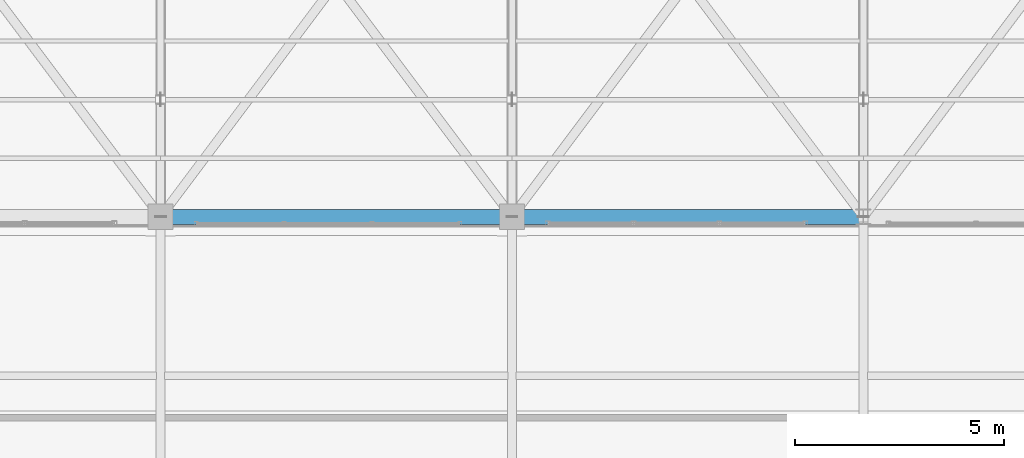
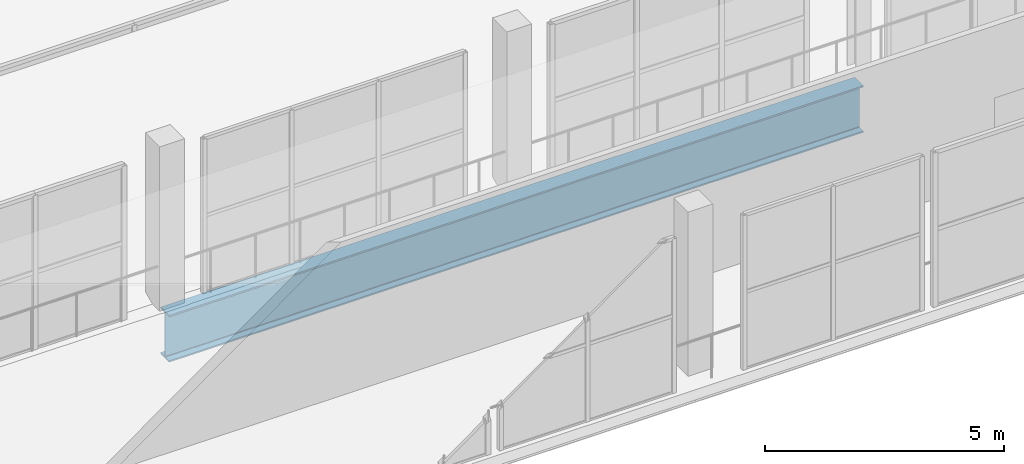
# One storey, part 90 of 217: 1 beam.
"""IFC4 building model written with IfcOpenShell, lengths in metres."""

from ifc_helpers import new_model, si_unit, direction, frame, origin, origin_2d, place, context, subcontext, project, spatial, i_section, extrude, material, material_profile, profile_set, type_object, element, save


model = new_model("IFC4")

# Units and contexts
model_context = context("Model", 3, precision=1e-05, world=origin(), true_north=direction((0.0, 1.0)))
body_context = subcontext(model_context, "Body", "Model", "MODEL_VIEW")
ifc_project = project(units=[si_unit("LENGTHUNIT", "METRE"), si_unit("AREAUNIT", "SQUARE_METRE"), si_unit("VOLUMEUNIT", "CUBIC_METRE"), si_unit("PLANEANGLEUNIT", "RADIAN"), si_unit("MASSUNIT", "GRAM", prefix="KILO")], contexts=[model_context])

# Site, building, storey
site_placement = place(None, origin())
site = spatial("IfcSite", under=ifc_project, at=site_placement, CompositionType="ELEMENT")
building_placement = place(site_placement, origin())
building = spatial("IfcBuilding", under=site, at=building_placement, Name="Zuvorla Pavilion Media Centre", CompositionType="ELEMENT")
storey_placement = place(building_placement, frame((0.0, 0.0, 9.60009765625)))
storey = spatial("IfcBuildingStorey", under=building, at=storey_placement, Name="L02", CompositionType="ELEMENT", Elevation=9.60009765625)

# Beam
ifc_material = material(Name="Steel S355", Category="steel")
ifc_material_profile = material_profile(ifc_material, i_section(OverallWidth=0.360107421875, OverallDepth=1.199951171875, WebThickness=0.02001953125, FlangeThickness=0.0380859375, FilletRadius=0.02392578125, at=origin_2d()), Name="PG 1200x360x38")
ifc_profile_set = profile_set([ifc_material_profile], Name="Steel S355")
beam_type = type_object("IfcBeamType", Name="BM-PG1200", PredefinedType="BEAM", material=ifc_profile_set)
beam_placement = place(storey_placement, frame((108.800048828125, 89.60009765625, -0.88818359375), z_axis=(1.0, 0.0, 0.0), x_axis=(0.0, 1.0, 0.0)))
element("IfcBeam", 1, at=beam_placement, inside=storey, type_object=beam_type, Name="L02 beam B01 1782", PredefinedType="BEAM", context=body_context, shape_type="SweptSolid", body=[
    extrude(i_section(OverallWidth=0.360107421875, OverallDepth=1.199951171875, WebThickness=0.02001953125, FlangeThickness=0.0380859375, FilletRadius=0.02392578125, at=origin_2d()), origin(), (0.0, 0.0, 1.0), 16.800048828125),
])

save(model, "model.ifc")
